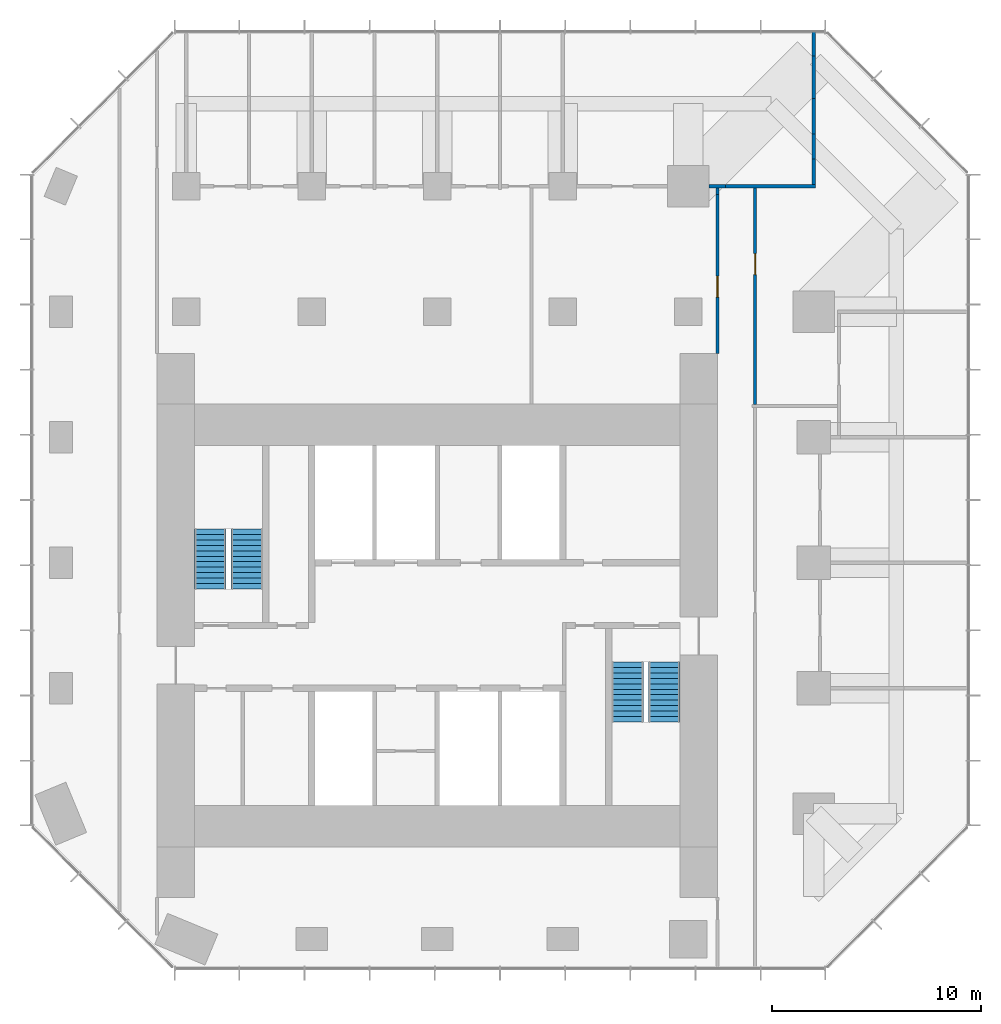
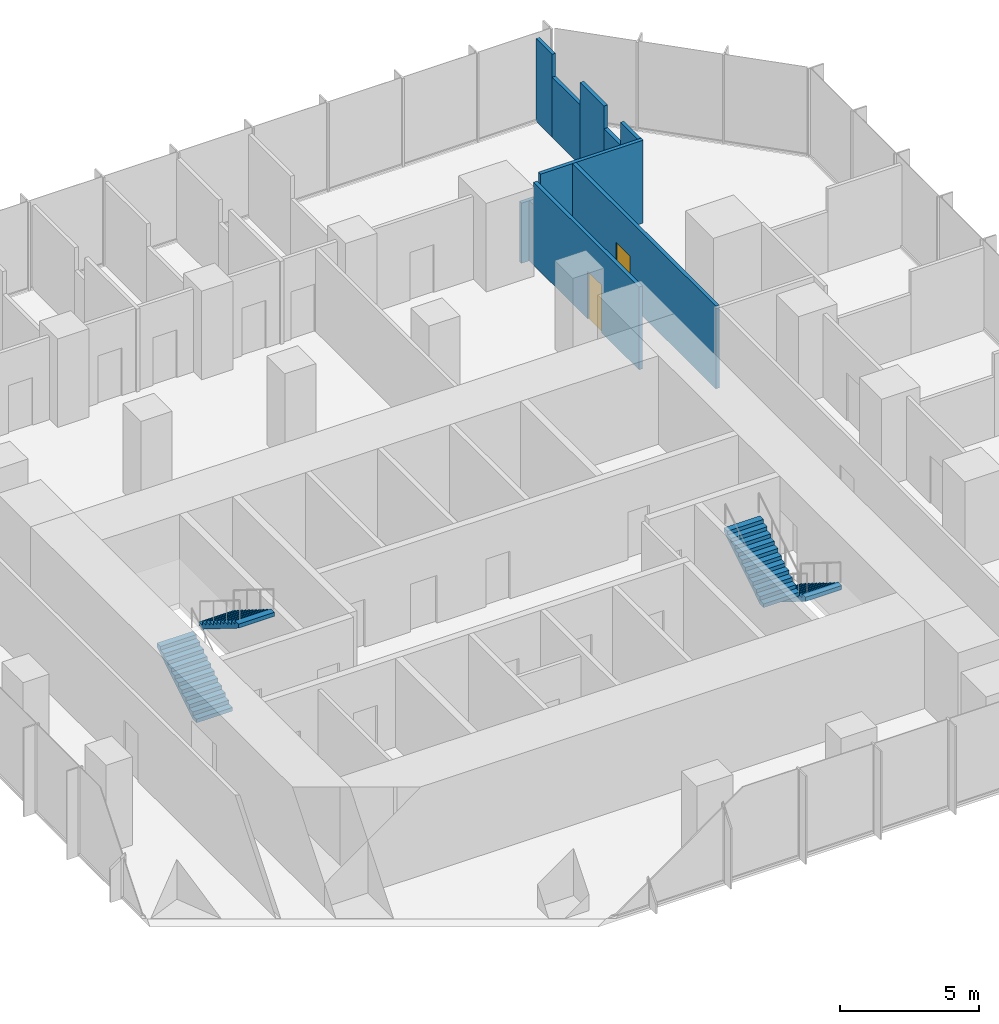
# One storey, part 10 of 11: 10 walls, 4 stair flights, 2 doors, 2 openings, 2 elements without a shape of their own.
"""IFC4 building model written with IfcOpenShell, lengths in metres."""

from ifc_helpers import new_model, si_unit, direction, frame, frame_2d, origin, place, context, subcontext, project, spatial, polyline, rectangle, outline, extrude, material, layer, layer_set, type_object, element, fill, aggregate, save


model = new_model("IFC4")

# Units and contexts
model_context = context("Model", 3, precision=1e-05, world=origin(), true_north=direction((0.0, 1.0)))
body_context = subcontext(model_context, "Body", "Model", "MODEL_VIEW")
ifc_project = project(units=[si_unit("LENGTHUNIT", "METRE"), si_unit("AREAUNIT", "SQUARE_METRE"), si_unit("VOLUMEUNIT", "CUBIC_METRE"), si_unit("PLANEANGLEUNIT", "RADIAN"), si_unit("MASSUNIT", "GRAM", prefix="KILO")], contexts=[model_context])

# Site, building, storey
site_placement = place(None, origin())
site = spatial("IfcSite", under=ifc_project, at=site_placement, CompositionType="ELEMENT")
building_placement = place(site_placement, origin())
building = spatial("IfcBuilding", under=site, at=building_placement, Name="Highveld Stack Headquarters", CompositionType="ELEMENT")
storey_placement = place(building_placement, frame((0.0, 0.0, 173.300048828125)))
storey = spatial("IfcBuildingStorey", under=building, at=storey_placement, Name="L42", CompositionType="ELEMENT", Elevation=173.300048828125)

# Walls
ifc_material_1 = material(Name="Gypsum plasterboard on steel studs", Category="steel")
ifc_layer = layer(ifc_material_1, 0.14990234375)
ifc_layer_set = layer_set([ifc_layer], Name="Gypsum plasterboard on steel studs")
wall_type = type_object("IfcWallType", Name="PARTITION 150 PLASTERBOARD", PredefinedType="PARTITIONING", material=ifc_layer_set)
wall_1_placement = place(storey_placement, frame((19.0, 24.0, 0.0), z_axis=(0.0, 0.0, 1.0), x_axis=(1.0, 0.0, 0.0)))
element("IfcWall", 1, at=wall_1_placement, inside=storey, type_object=wall_type, Name="Partition Team office L42", PredefinedType="PARTITIONING", context=body_context, shape_type="SweptSolid", body=[
    extrude(rectangle(XDim=0.7919921875, YDim=0.14990234375, at=frame_2d((0.39599609375, 0.0))), origin(), (0.0, 0.0, 1.0), 2.64990234375),
])
wall_2_placement = place(storey_placement, frame((19.7919921875, 24.0, 0.0), z_axis=(0.0, 0.0, 1.0), x_axis=(1.0, 0.0, 0.0)))
element("IfcWall", 2, at=wall_2_placement, inside=storey, type_object=wall_type, Name="Partition Team office L42", PredefinedType="PARTITIONING", context=body_context, shape_type="SweptSolid", body=[
    extrude(rectangle(XDim=4.282958984375, YDim=0.14990234375, at=frame_2d((2.1416015625, 0.0))), origin(), (0.0, 0.0, 1.0), 3.64990234375),
])
wall_3_placement = place(storey_placement, frame((24.0, 24.074951171875, 0.0), z_axis=(0.0, 0.0, 1.0), x_axis=(0.0, 1.0, 0.0)))
element("IfcWall", 3, at=wall_3_placement, inside=storey, type_object=wall_type, Name="Partition Team office L42", PredefinedType="PARTITIONING", context=body_context, shape_type="SweptSolid", body=[
    extrude(rectangle(XDim=1.235107421875, YDim=0.14990234375, at=frame_2d((0.61767578125, 0.0))), origin(), (0.0, 0.0, 1.0), 3.64990234375),
])
wall_4_placement = place(storey_placement, frame((24.0, 25.31005859375, 0.0), z_axis=(0.0, 0.0, 1.0), x_axis=(0.0, 1.0, 0.0)))
element("IfcWall", 4, at=wall_4_placement, inside=storey, type_object=wall_type, Name="Partition Team office L42", PredefinedType="PARTITIONING", context=body_context, shape_type="SweptSolid", body=[
    extrude(rectangle(XDim=1.179931640625, YDim=0.14990234375, at=frame_2d((0.58984375, 0.0))), origin(), (0.0, 0.0, 1.0), 2.64990234375),
])
wall_5_placement = place(storey_placement, frame((24.0, 26.489990234375, 0.0), z_axis=(0.0, 0.0, 1.0), x_axis=(0.0, 1.0, 0.0)))
element("IfcWall", 5, at=wall_5_placement, inside=storey, type_object=wall_type, Name="Partition Team office L42", PredefinedType="PARTITIONING", context=body_context, shape_type="SweptSolid", body=[
    extrude(rectangle(XDim=1.718017578125, YDim=0.14990234375, at=frame_2d((0.85888671875, 0.0))), origin(), (0.0, 0.0, 1.0), 3.64990234375),
])
wall_6_placement = place(storey_placement, frame((24.0, 28.2080078125, 0.0), z_axis=(0.0, 0.0, 1.0), x_axis=(0.0, 1.0, 0.0)))
element("IfcWall", 6, at=wall_6_placement, inside=storey, type_object=wall_type, Name="Partition Team office L42", PredefinedType="PARTITIONING", context=body_context, shape_type="SweptSolid", body=[
    extrude(rectangle(XDim=2.029052734375, YDim=0.14990234375, at=frame_2d((1.0146484375, 0.0))), origin(), (0.0, 0.0, 1.0), 2.64990234375),
])
wall_7_placement = place(storey_placement, frame((24.0, 30.237060546875, 0.0), z_axis=(0.0, 0.0, 1.0), x_axis=(0.0, 1.0, 0.0)))
element("IfcWall", 7, at=wall_7_placement, inside=storey, type_object=wall_type, Name="Partition Team office L42", PredefinedType="PARTITIONING", context=body_context, shape_type="SweptSolid", body=[
    extrude(rectangle(XDim=1.162841796875, YDim=0.14990234375, at=frame_2d((0.58154296875, 0.0))), origin(), (0.0, 0.0, 1.0), 3.64990234375),
])

# Wall, opening, door
wall_8_placement = place(storey_placement, frame((19.39990234375, 16.0, 0.0), z_axis=(0.0, 0.0, 1.0), x_axis=(0.0, 1.0, 0.0)))
wall_8 = element("IfcWall", 8, at=wall_8_placement, inside=storey, type_object=wall_type, Name="Partition office neighbourhood L42", PredefinedType="PARTITIONING", context=body_context, shape_type="SweptSolid", body=[
    extrude(rectangle(XDim=7.60791015625, YDim=0.14990234375, at=frame_2d((3.803955078125, 0.0))), origin(), (0.0, 0.0, 1.0), 3.64990234375),
])
opening_1_placement = place(wall_8_placement, frame((2.699951171875, 0.0, 0.0)))
opening_1 = element("IfcOpeningElement", 9, at=opening_1_placement, cuts=wall_8, Name="Opening L42-27", PredefinedType="OPENING", context=body_context, shape_type="SweptSolid", body=[
    extrude(rectangle(XDim=1.0, YDim=2.10009765625, at=frame_2d((0.5, 1.050048828125))), frame((0.0, 0.0849609375, 0.0), z_axis=(0.0, -1.0, 0.0), x_axis=(1.0, 0.0, 0.0)), (0.0, 0.0, 1.0), 0.169921875),
])
ifc_material_2 = material(Name="Timber door, oiled ash", Category="wood")
door_type = type_object("IfcDoorType", Name="ROOM DOOR D6 1000x2100", OperationType="SINGLE_SWING_LEFT", PredefinedType="DOOR", material=ifc_material_2)
door_1_placement = place(opening_1_placement, origin())
door_1 = element("IfcDoor", 10, at=door_1_placement, inside=storey, type_object=door_type, Name="Office neighbourhood door L42", OperationType="SINGLE_SWING_LEFT", OverallHeight=2.10009765625, OverallWidth=1.0, PredefinedType="DOOR", context=body_context, shape_type="SweptSolid", body=[
    extrude(rectangle(XDim=1.0, YDim=2.10009765625, at=frame_2d((0.5, 1.050048828125))), frame((0.0, 0.02490234375, 0.0), z_axis=(0.0, -1.0, 0.0), x_axis=(1.0, 0.0, 0.0)), (0.0, 0.0, 1.0), 0.050048828125),
])
fill(opening_1, door_1)

# Wall
wall_9_placement = place(storey_placement, frame((19.39990234375, 23.60791015625, 0.0), z_axis=(0.0, 0.0, 1.0), x_axis=(0.0, 1.0, 0.0)))
element("IfcWall", 11, at=wall_9_placement, inside=storey, type_object=wall_type, Name="Partition office neighbourhood L42", PredefinedType="PARTITIONING", context=body_context, shape_type="SweptSolid", body=[
    extrude(rectangle(XDim=0.317138671875, YDim=0.14990234375, at=frame_2d((0.15869140625, 0.0))), origin(), (0.0, 0.0, 1.0), 2.64990234375),
])

# Wall, opening, door
wall_10_placement = place(storey_placement, frame((21.199951171875, 13.574951171875, 0.0), z_axis=(0.0, 0.0, 1.0), x_axis=(0.0, 1.0, 0.0)))
wall_10 = element("IfcWall", 12, at=wall_10_placement, inside=storey, type_object=wall_type, Name="Partition office neighbourhood L42", PredefinedType="PARTITIONING", context=body_context, shape_type="SweptSolid", body=[
    extrude(rectangle(XDim=10.35009765625, YDim=0.14990234375, at=frame_2d((5.175048828125, 0.0))), origin(), (0.0, 0.0, 1.0), 3.64990234375),
])
opening_2_placement = place(wall_10_placement, frame((6.200927734375, 0.0, 0.0)))
opening_2 = element("IfcOpeningElement", 13, at=opening_2_placement, cuts=wall_10, Name="Opening L42-26", PredefinedType="OPENING", context=body_context, shape_type="SweptSolid", body=[
    extrude(rectangle(XDim=1.0, YDim=2.10009765625, at=frame_2d((0.5, 1.050048828125))), frame((0.0, 0.0849609375, 0.0), z_axis=(0.0, -1.0, 0.0), x_axis=(1.0, 0.0, 0.0)), (0.0, 0.0, 1.0), 0.169921875),
])
door_2_placement = place(opening_2_placement, origin())
door_2 = element("IfcDoor", 14, at=door_2_placement, inside=storey, type_object=door_type, Name="Office neighbourhood door L42", OperationType="SINGLE_SWING_RIGHT", OverallHeight=2.10009765625, OverallWidth=1.0, PredefinedType="DOOR", context=body_context, shape_type="SweptSolid", body=[
    extrude(rectangle(XDim=1.0, YDim=2.10009765625, at=frame_2d((0.5, 1.050048828125))), frame((0.0, 0.02490234375, 0.0), z_axis=(0.0, -1.0, 0.0), x_axis=(1.0, 0.0, 0.0)), (0.0, 0.0, 1.0), 0.050048828125),
])
fill(opening_2, door_2)

# Stair, stair flights
ifc_material_3 = material(Name="Concrete C40/50, precast", Category="concrete")
stair_type_1 = type_object("IfcStairType", Name="STAIR S1 HALF TURN 1500", PredefinedType="HALF_TURN_STAIR", material=ifc_material_3)
stair_1_placement = place(storey_placement, origin())
stair_1 = element("IfcStair", 15, at=stair_1_placement, inside=storey, type_object=stair_type_1, Name="Stair S1 L42", PredefinedType="HALF_TURN_STAIR")
ifc_material_4 = material(Name="Concrete C40/50, precast", Category="concrete")
stair_flight_type = type_object("IfcStairFlightType", Name="STAIR FLIGHT 1500 PRECAST", PredefinedType="STRAIGHT", material=ifc_material_4)
stair_flight_1_placement = place(storey_placement, frame((-4.85009765625, 4.75, 0.0), z_axis=(0.0, 0.0, 1.0), x_axis=(0.0, 1.0, 0.0)))
stair_flight_1 = element("IfcStairFlight", 16, at=stair_flight_1_placement, type_object=stair_flight_type, Name="S1 flight 1", NumberOfRisers=12, NumberOfTreads=11, PredefinedType="STRAIGHT", RiserHeight=0.1625, TreadLength=0.26, context=body_context, shape_type="SweptSolid", body=[
    extrude(outline(polyline([(0.0, 0.0), (0.0, 0.16259765625), (0.260009765625, 0.16259765625), (0.260009765625, 0.324951171875), (0.52001953125, 0.324951171875), (0.52001953125, 0.487548828125), (0.780029296875, 0.487548828125), (0.780029296875, 0.64990234375), (1.0400390625, 0.64990234375), (1.0400390625, 0.8125), (1.300048828125, 0.8125), (1.300048828125, 0.97509765625), (1.56005859375, 0.97509765625), (1.56005859375, 1.137451171875), (1.820068359375, 1.137451171875), (1.820068359375, 1.300048828125), (2.080078125, 1.300048828125), (2.080078125, 1.46240234375), (2.340087890625, 1.46240234375), (2.340087890625, 1.625), (2.60009765625, 1.625), (2.60009765625, 1.78759765625), (2.860107421875, 1.78759765625), (2.860107421875, 1.949951171875), (2.860107421875, 1.61083984375), (0.28271484375, 0.0), (0.0, 0.0)])), frame((0.0, 0.75, 0.0), z_axis=(0.0, -1.0, 0.0), x_axis=(1.0, 0.0, 0.0)), (0.0, 0.0, 1.0), 1.5),
])
stair_flight_2_placement = place(storey_placement, frame((-3.10009765625, 7.610107421875, 1.949951171875), z_axis=(0.0, 0.0, 1.0), x_axis=(0.0, -1.0, 0.0)))
stair_flight_2 = element("IfcStairFlight", 17, at=stair_flight_2_placement, type_object=stair_flight_type, Name="S1 flight 2", NumberOfRisers=12, NumberOfTreads=11, PredefinedType="STRAIGHT", RiserHeight=0.1625, TreadLength=0.26, context=body_context, shape_type="SweptSolid", body=[
    extrude(outline(polyline([(0.0, 0.0), (0.0, 0.16259765625), (0.260009765625, 0.16259765625), (0.260009765625, 0.324951171875), (0.52001953125, 0.324951171875), (0.52001953125, 0.487548828125), (0.780029296875, 0.487548828125), (0.780029296875, 0.64990234375), (1.0400390625, 0.64990234375), (1.0400390625, 0.8125), (1.300048828125, 0.8125), (1.300048828125, 0.97509765625), (1.56005859375, 0.97509765625), (1.56005859375, 1.137451171875), (1.820068359375, 1.137451171875), (1.820068359375, 1.300048828125), (2.080078125, 1.300048828125), (2.080078125, 1.46240234375), (2.340087890625, 1.46240234375), (2.340087890625, 1.625), (2.60009765625, 1.625), (2.60009765625, 1.78759765625), (2.860107421875, 1.78759765625), (2.860107421875, 1.949951171875), (2.860107421875, 1.61083984375), (0.28271484375, 0.0), (0.0, 0.0)])), frame((0.0, 0.75, 0.0), z_axis=(0.0, -1.0, 0.0), x_axis=(1.0, 0.0, 0.0)), (0.0, 0.0, 1.0), 1.5),
])
aggregate(stair_1, [stair_flight_1, stair_flight_2])

ifc_material_5 = material(Name="Concrete C40/50, precast", Category="concrete")
stair_type_2 = type_object("IfcStairType", Name="STAIR S2 HALF TURN 1500", PredefinedType="HALF_TURN_STAIR", material=ifc_material_5)
stair_2_placement = place(storey_placement, origin())
stair_2 = element("IfcStair", 18, at=stair_2_placement, inside=storey, type_object=stair_type_2, Name="Stair S2 L42", PredefinedType="HALF_TURN_STAIR")
stair_flight_3_placement = place(storey_placement, frame((16.85009765625, 1.25, 0.0), z_axis=(0.0, 0.0, 1.0), x_axis=(0.0, -1.0, 0.0)))
stair_flight_3 = element("IfcStairFlight", 19, at=stair_flight_3_placement, type_object=stair_flight_type, Name="S2 flight 1", NumberOfRisers=12, NumberOfTreads=11, PredefinedType="STRAIGHT", RiserHeight=0.1625, TreadLength=0.26, context=body_context, shape_type="SweptSolid", body=[
    extrude(outline(polyline([(0.0, 0.0), (0.0, 0.16259765625), (0.260009765625, 0.16259765625), (0.260009765625, 0.324951171875), (0.52001953125, 0.324951171875), (0.52001953125, 0.487548828125), (0.780029296875, 0.487548828125), (0.780029296875, 0.64990234375), (1.0400390625, 0.64990234375), (1.0400390625, 0.8125), (1.300048828125, 0.8125), (1.300048828125, 0.97509765625), (1.56005859375, 0.97509765625), (1.56005859375, 1.137451171875), (1.820068359375, 1.137451171875), (1.820068359375, 1.300048828125), (2.080078125, 1.300048828125), (2.080078125, 1.46240234375), (2.340087890625, 1.46240234375), (2.340087890625, 1.625), (2.60009765625, 1.625), (2.60009765625, 1.78759765625), (2.860107421875, 1.78759765625), (2.860107421875, 1.949951171875), (2.860107421875, 1.61083984375), (0.28271484375, 0.0), (0.0, 0.0)])), frame((0.0, 0.75, 0.0), z_axis=(0.0, -1.0, 0.0), x_axis=(1.0, 0.0, 0.0)), (0.0, 0.0, 1.0), 1.5),
])
stair_flight_4_placement = place(storey_placement, frame((15.10009765625, -1.610107421875, 1.949951171875), z_axis=(0.0, 0.0, 1.0), x_axis=(0.0, 1.0, 0.0)))
stair_flight_4 = element("IfcStairFlight", 20, at=stair_flight_4_placement, type_object=stair_flight_type, Name="S2 flight 2", NumberOfRisers=12, NumberOfTreads=11, PredefinedType="STRAIGHT", RiserHeight=0.1625, TreadLength=0.26, context=body_context, shape_type="SweptSolid", body=[
    extrude(outline(polyline([(0.0, 0.0), (0.0, 0.16259765625), (0.260009765625, 0.16259765625), (0.260009765625, 0.324951171875), (0.52001953125, 0.324951171875), (0.52001953125, 0.487548828125), (0.780029296875, 0.487548828125), (0.780029296875, 0.64990234375), (1.0400390625, 0.64990234375), (1.0400390625, 0.8125), (1.300048828125, 0.8125), (1.300048828125, 0.97509765625), (1.56005859375, 0.97509765625), (1.56005859375, 1.137451171875), (1.820068359375, 1.137451171875), (1.820068359375, 1.300048828125), (2.080078125, 1.300048828125), (2.080078125, 1.46240234375), (2.340087890625, 1.46240234375), (2.340087890625, 1.625), (2.60009765625, 1.625), (2.60009765625, 1.78759765625), (2.860107421875, 1.78759765625), (2.860107421875, 1.949951171875), (2.860107421875, 1.61083984375), (0.28271484375, 0.0), (0.0, 0.0)])), frame((0.0, 0.75, 0.0), z_axis=(0.0, -1.0, 0.0), x_axis=(1.0, 0.0, 0.0)), (0.0, 0.0, 1.0), 1.5),
])
aggregate(stair_2, [stair_flight_3, stair_flight_4])

save(model, "model.ifc")
